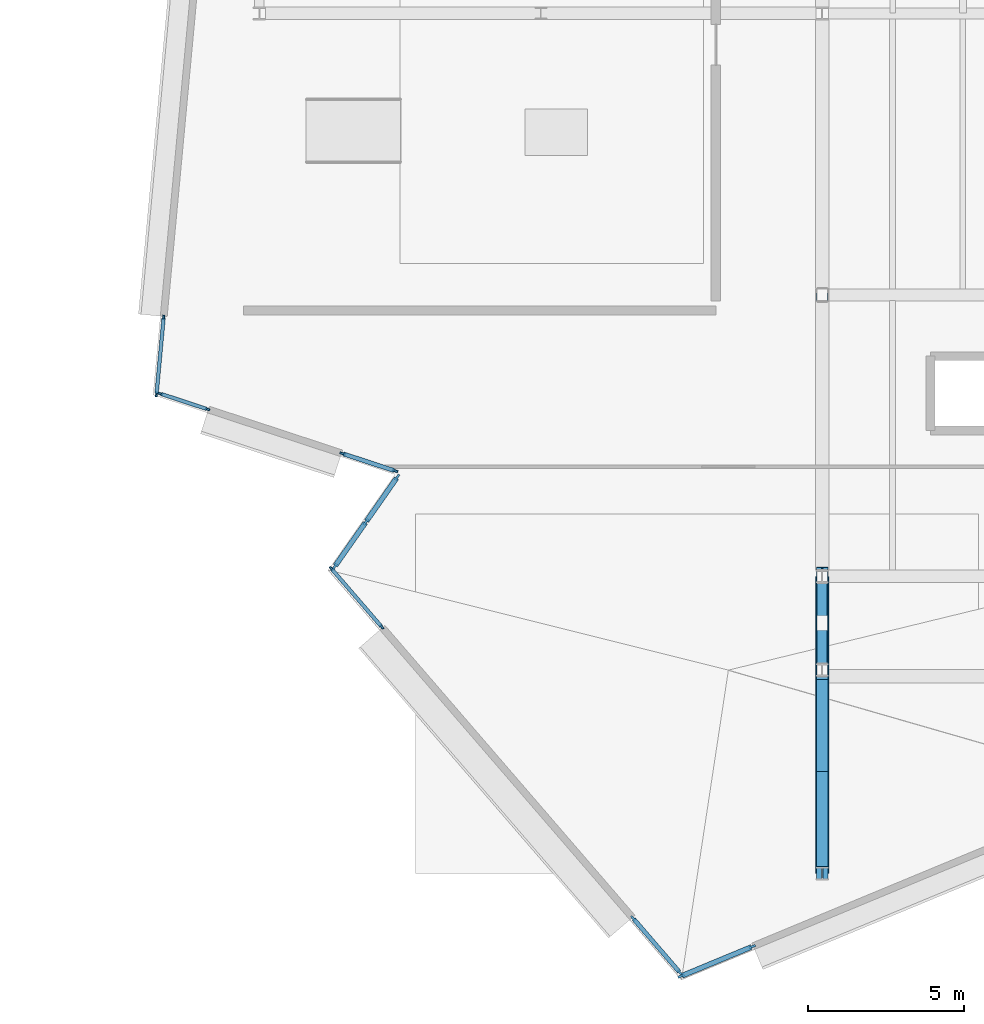
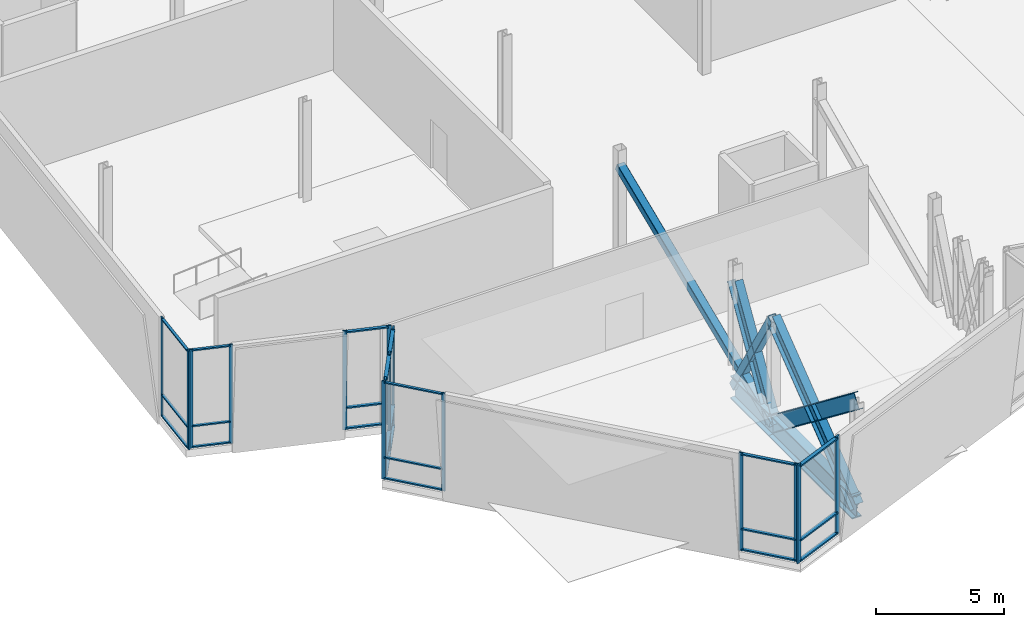
# One storey, part 15 of 73: 41 members, 5 beams, 7 elements without a shape of their own.
"""IFC4 building model written with IfcOpenShell, lengths in metres."""

import ifcopenshell
import ifcopenshell.guid

model = None  # the IFC model being written
_history = None  # IfcOwnerHistory: only IFC2X3 demands one
_inside = {}  # id of a spatial element -> (the spatial element, [elements in it])
_under = {}  # id of a project, library or spatial element -> (it, [spatial elements below it])
_declared = {}  # id of a project -> (the project, [libraries it declares])
_typed = {}  # id of a type object -> (the type object, [elements of that type])
_made_of = {}  # id of a material, layer set ... -> (it, [elements and type objects made of it])


def new_model(schema):
    """Start an empty IFC model of exactly this schema.

    Asked for "IFC4X3", IfcOpenShell would pick the latest addendum, in which some entities
    have other attributes; the version numbers below select the first issue.
    IFC2X3 requires an IfcOwnerHistory on every rooted entity: one is made here for all.
    """
    global model, _history
    if schema == "IFC4X3":
        model = ifcopenshell.file(schema_version=(4, 3, 0, 0))
    else:
        model = ifcopenshell.file(schema=schema)
    _inside.clear()
    _under.clear()
    _declared.clear()
    _typed.clear()
    _made_of.clear()
    _history = None
    if model.schema == "IFC2X3":
        org = make("IfcOrganization", Name="unknown")
        user = make(
            "IfcPersonAndOrganization",
            ThePerson=make("IfcPerson", FamilyName="unknown"),
            TheOrganization=org,
        )
        app = make(
            "IfcApplication",
            ApplicationDeveloper=org,
            Version="unknown",
            ApplicationFullName="unknown",
            ApplicationIdentifier="unknown",
        )
        _history = make(
            "IfcOwnerHistory",
            OwningUser=user,
            OwningApplication=app,
            ChangeAction="ADDED",
            CreationDate=0,
        )
    return model


def make(cls, **values):
    """One entity of the class cls with the attributes given. An attribute that is None is left unset."""
    return model.create_entity(
        cls, **{name: value for name, value in values.items() if value is not None}
    )


def rooted(cls, **values):
    """An entity with a GlobalId (a new one), such as an element, a storey or a relation."""
    return make(cls, GlobalId=ifcopenshell.guid.new(), OwnerHistory=_history, **values)


def si_unit(unit_type, name, prefix=None):
    """IfcSIUnit, for example si_unit("LENGTHUNIT", "METRE", prefix="MILLI")."""
    return make("IfcSIUnit", UnitType=unit_type, Prefix=prefix, Name=name)


def assignment(units):
    """IfcUnitAssignment: the units of a project."""
    return None if units is None else make("IfcUnitAssignment", Units=units)


def point(xyz):
    """IfcCartesianPoint."""
    return None if xyz is None else make("IfcCartesianPoint", Coordinates=xyz)


def direction(xyz):
    """IfcDirection."""
    return None if xyz is None else make("IfcDirection", DirectionRatios=xyz)


def frame(location, z_axis=None, x_axis=None):
    """IfcAxis2Placement3D, a coordinate frame: its origin and axes. An axis left out is left unset."""
    return make(
        "IfcAxis2Placement3D",
        Location=point(location),
        Axis=direction(z_axis),
        RefDirection=direction(x_axis),
    )


def frame_2d(location, x_axis=None):
    """IfcAxis2Placement2D, a coordinate frame in the plane: its origin and x axis."""
    return make(
        "IfcAxis2Placement2D", Location=point(location), RefDirection=direction(x_axis)
    )


def origin():
    """The frame at (0, 0, 0) with its axes left unset."""
    return frame((0.0, 0.0, 0.0))


def origin_2d():
    """The frame at (0, 0) in the plane with its x axis left unset."""
    return frame_2d((0.0, 0.0))


def place(relative_to, where):
    """IfcLocalPlacement: puts the frame where relative to a parent placement (None: the world)."""
    return make(
        "IfcLocalPlacement", PlacementRelTo=relative_to, RelativePlacement=where
    )


def context(
    kind, dimensions, precision=None, world=None, true_north=None, identifier=None
):
    """IfcGeometricRepresentationContext, for example the 3D "Model" context."""
    return make(
        "IfcGeometricRepresentationContext",
        ContextIdentifier=identifier,
        ContextType=kind,
        CoordinateSpaceDimension=dimensions,
        Precision=precision,
        WorldCoordinateSystem=world,
        TrueNorth=true_north,
    )


def subcontext(parent, identifier, kind, view, scale=None):
    """IfcGeometricRepresentationSubContext, for example "Body" below "Model"."""
    return make(
        "IfcGeometricRepresentationSubContext",
        ContextIdentifier=identifier,
        ContextType=kind,
        ParentContext=parent,
        TargetScale=scale,
        TargetView=view,
    )


def project(units=None, contexts=None):
    """IfcProject with its units and contexts."""
    return rooted(
        "IfcProject",
        Name="project",
        RepresentationContexts=contexts,
        UnitsInContext=assignment(units),
    )


def spatial(cls, under=None, at=None, **own):
    """A site, building, storey or space (cls), placed at a placement, below another one or the project."""
    s = rooted(cls, ObjectPlacement=at, **own)
    if under is not None:
        _under.setdefault(under.id(), (under, []))[1].append(s)
    return s


def profile(cls, at=None, kind="AREA", **sizes):
    """A parametric profile (cls). Its sizes go by their IFC names, for example OverallWidth=200.0."""
    return make(cls, ProfileType=kind, Position=at, **sizes)


def rectangle(**sizes):
    """IfcRectangleProfileDef."""
    return profile("IfcRectangleProfileDef", **sizes)


def hollow_rectangle(**sizes):
    """IfcRectangleHollowProfileDef."""
    return profile("IfcRectangleHollowProfileDef", **sizes)


def i_section(**sizes):
    """IfcIShapeProfileDef."""
    return profile("IfcIShapeProfileDef", **sizes)


def extrude(swept, where, along, depth):
    """IfcExtrudedAreaSolid: the profile swept, set in the frame where, extruded along a direction by depth."""
    return make(
        "IfcExtrudedAreaSolid",
        SweptArea=swept,
        Position=where,
        ExtrudedDirection=direction(along),
        Depth=depth,
    )


def shape(context_of_items, identifier, shape_type, items):
    """IfcShapeRepresentation: the items that make up one representation, for example the "Body"."""
    return make(
        "IfcShapeRepresentation",
        ContextOfItems=context_of_items,
        RepresentationIdentifier=identifier,
        RepresentationType=shape_type,
        Items=items,
    )


def material(Name=None, Category=None):
    """IfcMaterial."""
    return make("IfcMaterial", Name=Name, Category=Category)


def material_profile(
    of_material, cross_section, Name=None, Category=None, Priority=None
):
    """IfcMaterialProfile: a cross section and its material."""
    return make(
        "IfcMaterialProfile",
        Name=Name,
        Material=of_material,
        Profile=cross_section,
        Priority=Priority,
        Category=Category,
    )


def profile_set(profiles, Name=None, composite=None):
    """IfcMaterialProfileSet."""
    return make(
        "IfcMaterialProfileSet",
        Name=Name,
        MaterialProfiles=profiles,
        CompositeProfile=composite,
    )


def made_of(thing, what):
    """Note that an element or type object is made of a material, layer set ...; save() writes the relation."""
    if what is not None:
        _made_of.setdefault(what.id(), (what, []))[1].append(thing)
    return thing


def type_object(cls, material=None, **own):
    """A type object (cls), such as IfcWallType, which elements share."""
    return made_of(rooted(cls, **own), material)


def element(
    cls,
    number,
    at=None,
    inside=None,
    cuts=None,
    type_object=None,
    material=None,
    context=None,
    identifier="Body",
    shape_type=None,
    held_by="IfcProductDefinitionShape",
    body=None,
    shapes=None,
    **own,
):
    """One element of the class cls, such as IfcWall. Its Tag is "e" and its number.

    at: its placement. inside: the storey or other place that contains it. cuts: it is an
    opening in that element (IfcRelVoidsElement). A single representation is given by context,
    identifier, shape_type and body (its items); several are given by shapes. held_by: the class
    of the entity that holds the representations. save() writes the other relations.
    """
    e = rooted(cls, Tag="e%d" % number, ObjectPlacement=at, **own)
    if body is not None:
        shapes = [shape(context, identifier, shape_type, body)]
    if shapes is not None:
        e.Representation = make(held_by, Representations=shapes)
    if inside is not None:
        _inside.setdefault(inside.id(), (inside, []))[1].append(e)
    if cuts is not None:
        rooted(
            "IfcRelVoidsElement", RelatingBuildingElement=cuts, RelatedOpeningElement=e
        )
    if type_object is not None:
        _typed.setdefault(type_object.id(), (type_object, []))[1].append(e)
    return made_of(e, material)


def aggregate(whole, parts):
    """IfcRelAggregates: a whole, such as a stair, and the parts it consists of."""
    return rooted("IfcRelAggregates", RelatingObject=whole, RelatedObjects=parts)


def save(model, path):
    """Write the relations noted so far, then the file.

    IfcRelAggregates (storeys below a building ...), IfcRelContainedInSpatialStructure (elements
    in a storey), IfcRelDefinesByType, IfcRelAssociatesMaterial and IfcRelDeclares: one each for
    every whole, place, type object, material and project.
    """
    for whole, parts in _under.values():
        aggregate(whole, parts)
    for where, things in _inside.values():
        rooted(
            "IfcRelContainedInSpatialStructure",
            RelatedElements=things,
            RelatingStructure=where,
        )
    for kind, things in _typed.values():
        rooted("IfcRelDefinesByType", RelatedObjects=things, RelatingType=kind)
    for what, things in _made_of.values():
        rooted("IfcRelAssociatesMaterial", RelatedObjects=things, RelatingMaterial=what)
    for by, libraries in _declared.values():
        rooted("IfcRelDeclares", RelatingContext=by, RelatedDefinitions=libraries)
    model.write(path)


model = new_model("IFC4")

# Units and contexts
model_context = context("Model", 3, precision=1e-05, world=origin(), true_north=direction((0.0, 1.0)))
body_context = subcontext(model_context, "Body", "Model", "MODEL_VIEW")
ifc_project = project(units=[si_unit("LENGTHUNIT", "METRE"), si_unit("AREAUNIT", "SQUARE_METRE"), si_unit("VOLUMEUNIT", "CUBIC_METRE"), si_unit("PLANEANGLEUNIT", "RADIAN"), si_unit("MASSUNIT", "GRAM", prefix="KILO")], contexts=[model_context])

# Site, building, storey
site_placement = place(None, origin())
site = spatial("IfcSite", under=ifc_project, at=site_placement, CompositionType="ELEMENT")
building_placement = place(site_placement, origin())
building = spatial("IfcBuilding", under=site, at=building_placement, Name="Trimount Lyric Opera House", CompositionType="ELEMENT")
storey_placement = place(building_placement, frame((0.0, 0.0, 10.0)))
storey = spatial("IfcBuildingStorey", under=building, at=storey_placement, Name="L02", CompositionType="ELEMENT", Elevation=10.0)

# Members
ifc_material_1 = material(Name="Steel ASTM A500 Grade C", Category="steel")
ifc_material_profile_1 = material_profile(ifc_material_1, hollow_rectangle(XDim=0.355712890625, YDim=0.355712890625, WallThickness=0.014892578125, InnerFilletRadius=0.01513671875, OuterFilletRadius=0.030029296875, at=origin_2d()), Name="HSS355.6X355.6X15.9")
ifc_profile_set_1 = profile_set([ifc_material_profile_1], Name="Steel ASTM A500 Grade C")
member_type_1 = type_object("IfcMemberType", Name="BR-01", PredefinedType="BRACE", material=ifc_profile_set_1)
member_1_placement = place(storey_placement, frame((45.0, 35.0, 4.12890625), z_axis=(0.0, -0.922395901699, -0.38624577736), x_axis=(1.0, 0.0, 0.0)))
element("IfcMember", 1, at=member_1_placement, inside=storey, type_object=member_type_1, Name="L02 crystal truss 2 back-span tie-back brace", PredefinedType="BRACE", context=body_context, shape_type="SweptSolid", body=[
    extrude(hollow_rectangle(XDim=0.355712890625, YDim=0.355712890625, WallThickness=0.014892578125, InnerFilletRadius=0.01513671875, OuterFilletRadius=0.030029296875, at=origin_2d()), origin(), (0.0, 0.0, 1.0), 13.009521484375),
])
member_2_placement = place(storey_placement, frame((45.0, 26.0, -0.89599609375), z_axis=(0.0, -0.512617262011, 0.858617227109), x_axis=(1.0, 0.0, 0.0)))
element("IfcMember", 2, at=member_2_placement, inside=storey, type_object=member_type_1, Name="L02 crystal truss 2 counter brace", PredefinedType="BRACE", context=body_context, shape_type="SweptSolid", body=[
    extrude(hollow_rectangle(XDim=0.355712890625, YDim=0.355712890625, WallThickness=0.014892578125, InnerFilletRadius=0.01513671875, OuterFilletRadius=0.030029296875, at=origin_2d()), origin(), (0.0, 0.0, 1.0), 5.852294921875),
])

# Beams
ifc_material_2 = material(Name="Steel ASTM A992 Grade 50", Category="steel")
ifc_material_profile_2 = material_profile(ifc_material_2, i_section(OverallWidth=0.35595703125, OverallDepth=0.700927734375, WebThickness=0.016845703125, FlangeThickness=0.02734375, FilletRadius=0.01806640625, at=origin_2d()), Name="W27X161")
ifc_profile_set_2 = profile_set([ifc_material_profile_2], Name="Steel ASTM A992 Grade 50")
beam_type_1 = type_object("IfcBeamType", Name="CTW-01", PredefinedType="USERDEFINED", material=ifc_profile_set_2)
beam_1_placement = place(storey_placement, frame((45.0, 26.0, 4.12890625), z_axis=(0.0, -0.512617262011, -0.858617227109), x_axis=(1.0, 0.0, 0.0)))
element("IfcBeam", 3, at=beam_1_placement, inside=storey, type_object=beam_type_1, Name="L02 crystal truss 2 web raker 1", ObjectType="RAKER", PredefinedType="USERDEFINED", context=body_context, shape_type="SweptSolid", body=[
    extrude(i_section(OverallWidth=0.35595703125, OverallDepth=0.700927734375, WebThickness=0.016845703125, FlangeThickness=0.02734375, FilletRadius=0.01806640625, at=origin_2d()), origin(), (0.0, 0.0, 1.0), 5.852294921875),
])
for number, where, z_axis, x_axis, name in (
    (4, (45.0, 23.0, 4.12890625), (0.0, -0.791156894152, -0.61161325103), (1.0, 0.0, 0.0), "L02 crystal truss 2 web raker 2"),
    (5, (45.0, 16.5, 4.12890625), (0.0, 0.791156894152, -0.61161325103), (-1.0, 0.0, 0.0), "L02 crystal truss 2 prow counter raker"),
):
    element("IfcBeam", number, at=place(storey_placement, frame(where, z_axis=z_axis, x_axis=x_axis)), inside=storey, type_object=beam_type_1, Name=name, ObjectType="RAKER", PredefinedType="USERDEFINED", context=body_context, shape_type="SweptSolid", body=[
        extrude(i_section(OverallWidth=0.35595703125, OverallDepth=0.700927734375, WebThickness=0.016845703125, FlangeThickness=0.02734375, FilletRadius=0.01806640625, at=origin_2d()), origin(), (0.0, 0.0, 1.0), 8.2158203125),
    ])

# Curtain wall, members
ifc_material_3 = material(Name="Thermally Broken Aluminium and Low-E Glass", Category="aluminium")
curtain_wall_type = type_object("IfcCurtainWallType", Name="CW-02", PredefinedType="NOTDEFINED", material=ifc_material_3)
curtain_wall_1_placement = place(storey_placement, origin())
curtain_wall_1 = element("IfcCurtainWall", 6, at=curtain_wall_1_placement, inside=storey, type_object=curtain_wall_type, Name="L02 crystal fold glazed slit 192", PredefinedType="NOTDEFINED")
ifc_material_4 = material(Name="Anodised Aluminium 6063-T6", Category="aluminium")
ifc_material_profile_3 = material_profile(ifc_material_4, rectangle(XDim=0.070068359375, YDim=0.219970703125, at=origin_2d()), Name="ALU-MULL-70X220")
ifc_profile_set_3 = profile_set([ifc_material_profile_3], Name="Anodised Aluminium 6063-T6")
member_type_2 = type_object("IfcMemberType", Name="ML-01", PredefinedType="MULLION", material=ifc_profile_set_3)
member_3_placement = place(storey_placement, frame((42.7626953125, 14.15771484375, 0.0), z_axis=(0.0, 0.0, 1.0), x_axis=(0.383015022702, -0.923742113571, 0.0)))
member_3 = element("IfcMember", 7, at=member_3_placement, type_object=member_type_2, Name="CW-02 mullion 1", PredefinedType="MULLION", context=body_context, shape_type="SweptSolid", body=[
    extrude(rectangle(XDim=0.070068359375, YDim=0.219970703125, at=origin_2d()), origin(), (0.0, 0.0, 1.0), 4.675048828125),
])
member_4_placement = place(storey_placement, frame((40.490234375, 13.21533203125, 0.0), z_axis=(0.0, 0.0, 1.0), x_axis=(0.383015022702, -0.923742113571, 0.0)))
member_4 = element("IfcMember", 8, at=member_4_placement, type_object=member_type_2, Name="CW-02 mullion 2", PredefinedType="MULLION", context=body_context, shape_type="SweptSolid", body=[
    extrude(rectangle(XDim=0.070068359375, YDim=0.219970703125, at=origin_2d()), origin(), (0.0, 0.0, 1.0), 4.675048828125),
])

curtain_wall_2_placement = place(storey_placement, origin())
curtain_wall_2 = element("IfcCurtainWall", 9, at=curtain_wall_2_placement, inside=storey, type_object=curtain_wall_type, Name="L02 crystal fold glazed slit 195", PredefinedType="NOTDEFINED")
member_5_placement = place(storey_placement, frame((29.412109375, 26.311767578125, 0.0), z_axis=(0.0, 0.0, 1.0), x_axis=(-0.819496436973, 0.573084278085, 0.0)))
member_5 = element("IfcMember", 10, at=member_5_placement, type_object=member_type_2, Name="CW-02 mullion 1", PredefinedType="MULLION", context=body_context, shape_type="SweptSolid", body=[
    extrude(rectangle(XDim=0.070068359375, YDim=0.219970703125, at=origin_2d()), origin(), (0.0, 0.0, 1.0), 4.719970703125),
])
member_6_placement = place(storey_placement, frame((30.409423828125, 27.738037109375, 0.0), z_axis=(0.0, 0.0, 1.0), x_axis=(-0.819496436973, 0.573084278085, 0.0)))
member_6 = element("IfcMember", 11, at=member_6_placement, type_object=member_type_2, Name="CW-02 mullion 2", PredefinedType="MULLION", context=body_context, shape_type="SweptSolid", body=[
    extrude(rectangle(XDim=0.070068359375, YDim=0.219970703125, at=origin_2d()), origin(), (0.0, 0.0, 1.0), 4.719970703125),
])
member_7_placement = place(storey_placement, frame((31.406982421875, 29.164306640625, 0.0), z_axis=(0.0, 0.0, 1.0), x_axis=(-0.819496436973, 0.573084278085, 0.0)))
member_7 = element("IfcMember", 12, at=member_7_placement, type_object=member_type_2, Name="CW-02 mullion 3", PredefinedType="MULLION", context=body_context, shape_type="SweptSolid", body=[
    extrude(rectangle(XDim=0.070068359375, YDim=0.219970703125, at=origin_2d()), origin(), (0.0, 0.0, 1.0), 4.719970703125),
])

curtain_wall_3_placement = place(storey_placement, origin())
curtain_wall_3 = element("IfcCurtainWall", 13, at=curtain_wall_3_placement, inside=storey, type_object=curtain_wall_type, Name="L02 crystal fold glazed slit 193", PredefinedType="NOTDEFINED")
ifc_material_5 = material(Name="Anodised Aluminium 6063-T6", Category="aluminium")
ifc_material_profile_4 = material_profile(ifc_material_5, rectangle(XDim=0.06494140625, YDim=0.179931640625, at=origin_2d()), Name="ALU-MULL-65X180")
ifc_profile_set_4 = profile_set([ifc_material_profile_4], Name="Anodised Aluminium 6063-T6")
member_type_3 = type_object("IfcMemberType", Name="ML-02", PredefinedType="MULLION", material=ifc_profile_set_4)
member_8_placement = place(storey_placement, frame((40.44775390625, 13.32861328125, 0.0), z_axis=(0.0, 0.0, 1.0), x_axis=(-0.757395481565, -0.652956418534, 0.0)))
member_8 = element("IfcMember", 14, at=member_8_placement, type_object=member_type_3, Name="CW-02 mullion 1", PredefinedType="MULLION", context=body_context, shape_type="SweptSolid", body=[
    extrude(rectangle(XDim=0.06494140625, YDim=0.179931640625, at=origin_2d()), origin(), (0.0, 0.0, 1.0), 4.675048828125),
])
member_9_placement = place(storey_placement, frame((38.9521484375, 15.0634765625, 0.0), z_axis=(0.0, 0.0, 1.0), x_axis=(-0.757395481565, -0.652956418534, 0.0)))
member_9 = element("IfcMember", 15, at=member_9_placement, type_object=member_type_3, Name="CW-02 mullion 2", PredefinedType="MULLION", context=body_context, shape_type="SweptSolid", body=[
    extrude(rectangle(XDim=0.06494140625, YDim=0.179931640625, at=origin_2d()), origin(), (0.0, 0.0, 1.0), 4.675048828125),
])

curtain_wall_4_placement = place(storey_placement, origin())
curtain_wall_4 = element("IfcCurtainWall", 16, at=curtain_wall_4_placement, inside=storey, type_object=curtain_wall_type, Name="L02 crystal fold glazed slit 196", PredefinedType="NOTDEFINED")
member_10_placement = place(storey_placement, frame((31.340087890625, 29.37109375, 0.0), z_axis=(0.0, 0.0, 1.0), x_axis=(-0.312125096518, -0.950041011811, 0.0)))
member_10 = element("IfcMember", 17, at=member_10_placement, type_object=member_type_3, Name="CW-02 mullion 1", PredefinedType="MULLION", context=body_context, shape_type="SweptSolid", body=[
    extrude(rectangle(XDim=0.06494140625, YDim=0.179931640625, at=origin_2d()), origin(), (0.0, 0.0, 1.0), 4.719970703125),
])
member_11_placement = place(storey_placement, frame((29.663818359375, 29.921875, 0.0), z_axis=(0.0, 0.0, 1.0), x_axis=(-0.312125096518, -0.950041011811, 0.0)))
member_11 = element("IfcMember", 18, at=member_11_placement, type_object=member_type_3, Name="CW-02 mullion 2", PredefinedType="MULLION", context=body_context, shape_type="SweptSolid", body=[
    extrude(rectangle(XDim=0.06494140625, YDim=0.179931640625, at=origin_2d()), origin(), (0.0, 0.0, 1.0), 4.719970703125),
])

curtain_wall_5_placement = place(storey_placement, origin())
curtain_wall_5 = element("IfcCurtainWall", 19, at=curtain_wall_5_placement, inside=storey, type_object=curtain_wall_type, Name="L02 crystal fold glazed slit 167", PredefinedType="NOTDEFINED")
ifc_material_6 = material(Name="Anodised Aluminium 6063-T6", Category="aluminium")
ifc_material_profile_5 = material_profile(ifc_material_6, rectangle(XDim=0.06005859375, YDim=0.14990234375, at=origin_2d()), Name="ALU-MULL-60X150")
ifc_profile_set_5 = profile_set([ifc_material_profile_5], Name="Anodised Aluminium 6063-T6")
member_type_4 = type_object("IfcMemberType", Name="ML-03", PredefinedType="MULLION", material=ifc_profile_set_5)
member_12_placement = place(storey_placement, frame((23.712890625, 31.81982421875, 0.0), z_axis=(0.0, 0.0, 1.0), x_axis=(-0.995713076847, 0.0924957761, 0.0)))
member_12 = element("IfcMember", 20, at=member_12_placement, type_object=member_type_4, Name="CW-02 mullion 1", PredefinedType="MULLION", context=body_context, shape_type="SweptSolid", body=[
    extrude(rectangle(XDim=0.06005859375, YDim=0.14990234375, at=origin_2d()), origin(), (0.0, 0.0, 1.0), 4.719970703125),
])
member_13_placement = place(storey_placement, frame((23.941162109375, 34.279052734375, 0.0), z_axis=(0.0, 0.0, 1.0), x_axis=(-0.995713076847, 0.0924957761, 0.0)))
member_13 = element("IfcMember", 21, at=member_13_placement, type_object=member_type_4, Name="CW-02 mullion 2", PredefinedType="MULLION", context=body_context, shape_type="SweptSolid", body=[
    extrude(rectangle(XDim=0.06005859375, YDim=0.14990234375, at=origin_2d()), origin(), (0.0, 0.0, 1.0), 4.719970703125),
])

curtain_wall_6_placement = place(storey_placement, origin())
curtain_wall_6 = element("IfcCurtainWall", 22, at=curtain_wall_6_placement, inside=storey, type_object=curtain_wall_type, Name="L02 crystal fold glazed slit 194", PredefinedType="NOTDEFINED")
member_14_placement = place(storey_placement, frame((30.91650390625, 24.378662109375, 0.0), z_axis=(0.0, 0.0, 1.0), x_axis=(-0.757160561616, -0.653228814377, 0.0)))
member_14 = element("IfcMember", 23, at=member_14_placement, type_object=member_type_4, Name="CW-02 mullion 1", PredefinedType="MULLION", context=body_context, shape_type="SweptSolid", body=[
    extrude(rectangle(XDim=0.06005859375, YDim=0.14990234375, at=origin_2d()), origin(), (0.0, 0.0, 1.0), 4.675048828125),
])
member_15_placement = place(storey_placement, frame((29.302490234375, 26.249267578125, 0.0), z_axis=(0.0, 0.0, 1.0), x_axis=(-0.757160561616, -0.653228814377, 0.0)))
member_15 = element("IfcMember", 24, at=member_15_placement, type_object=member_type_4, Name="CW-02 mullion 2", PredefinedType="MULLION", context=body_context, shape_type="SweptSolid", body=[
    extrude(rectangle(XDim=0.06005859375, YDim=0.14990234375, at=origin_2d()), origin(), (0.0, 0.0, 1.0), 4.675048828125),
])

curtain_wall_7_placement = place(storey_placement, origin())
curtain_wall_7 = element("IfcCurtainWall", 25, at=curtain_wall_7_placement, inside=storey, type_object=curtain_wall_type, Name="L02 crystal fold glazed slit 197", PredefinedType="NOTDEFINED")
member_16_placement = place(storey_placement, frame((25.344482421875, 31.34228515625, 0.0), z_axis=(0.0, 0.0, 1.0), x_axis=(-0.312223640567, -0.95000863063, 0.0)))
member_16 = element("IfcMember", 26, at=member_16_placement, type_object=member_type_4, Name="CW-02 mullion 1", PredefinedType="MULLION", context=body_context, shape_type="SweptSolid", body=[
    extrude(rectangle(XDim=0.06005859375, YDim=0.14990234375, at=origin_2d()), origin(), (0.0, 0.0, 1.0), 4.719970703125),
])
member_17_placement = place(storey_placement, frame((23.83447265625, 31.838623046875, 0.0), z_axis=(0.0, 0.0, 1.0), x_axis=(-0.312223640567, -0.95000863063, 0.0)))
member_17 = element("IfcMember", 27, at=member_17_placement, type_object=member_type_4, Name="CW-02 mullion 2", PredefinedType="MULLION", context=body_context, shape_type="SweptSolid", body=[
    extrude(rectangle(XDim=0.06005859375, YDim=0.14990234375, at=origin_2d()), origin(), (0.0, 0.0, 1.0), 4.719970703125),
])

# Beams
ifc_material_7 = material(Name="Steel ASTM A992 Grade 50", Category="steel")
ifc_material_profile_6 = material_profile(ifc_material_7, i_section(OverallWidth=0.427001953125, OverallDepth=1.092041015625, WebThickness=0.031005859375, FlangeThickness=0.055908203125, FilletRadius=0.02490234375, at=origin_2d()), Name="W40X397")
ifc_profile_set_6 = profile_set([ifc_material_profile_6], Name="Steel ASTM A992 Grade 50")
beam_type_2 = type_object("IfcBeamType", Name="TG-02", PredefinedType="USERDEFINED", material=ifc_profile_set_6)
beam_2_placement = place(storey_placement, frame((45.0, 23.0, -0.89599609375), z_axis=(0.0, 1.0, 0.0), x_axis=(-1.0, 0.0, 0.0)))
element("IfcBeam", 28, at=beam_2_placement, inside=storey, type_object=beam_type_2, Name="L02 crystal truss 2 inner chord", ObjectType="TRANSFER_GIRDER", PredefinedType="USERDEFINED", context=body_context, shape_type="SweptSolid", body=[
    extrude(i_section(OverallWidth=0.427001953125, OverallDepth=1.092041015625, WebThickness=0.031005859375, FlangeThickness=0.055908203125, FilletRadius=0.02490234375, at=origin_2d()), origin(), (0.0, 0.0, 1.0), 3.0),
])
beam_3_placement = place(storey_placement, frame((45.0, 16.5, -0.89599609375), z_axis=(0.0, 1.0, 0.0), x_axis=(-1.0, 0.0, 0.0)))
element("IfcBeam", 29, at=beam_3_placement, inside=storey, type_object=beam_type_2, Name="L02 crystal truss 2 prow chord", ObjectType="TRANSFER_GIRDER", PredefinedType="USERDEFINED", context=body_context, shape_type="SweptSolid", body=[
    extrude(i_section(OverallWidth=0.427001953125, OverallDepth=1.092041015625, WebThickness=0.031005859375, FlangeThickness=0.055908203125, FilletRadius=0.02490234375, at=origin_2d()), origin(), (0.0, 0.0, 1.0), 6.5),
])

# Member
ifc_material_8 = material(Name="Anodised Aluminium 6063-T6", Category="aluminium")
ifc_material_profile_7 = material_profile(ifc_material_8, rectangle(XDim=0.159912109375, YDim=0.070068359375, at=origin_2d()), Name="ALU-TRAN-70X160")
ifc_profile_set_7 = profile_set([ifc_material_profile_7], Name="Anodised Aluminium 6063-T6")
member_type_5 = type_object("IfcMemberType", Name="TR-01", PredefinedType="USERDEFINED", material=ifc_profile_set_7)
member_18_placement = place(storey_placement, frame((42.730224609375, 14.144287109375, 0.080078125), z_axis=(-0.923710374084, -0.383091561913, 0.0), x_axis=(0.383091561913, -0.923710374084, 0.0)))
member_18 = element("IfcMember", 30, at=member_18_placement, type_object=member_type_5, Name="CW-02 transom 1.1", ObjectType="TRANSOM", PredefinedType="USERDEFINED", context=body_context, shape_type="SweptSolid", body=[
    extrude(rectangle(XDim=0.159912109375, YDim=0.070068359375, at=origin_2d()), origin(), (0.0, 0.0, 1.0), 2.389892578125),
])

member_19_placement = place(storey_placement, frame((42.730224609375, 14.144287109375, 1.050048828125), z_axis=(-0.923710374084, -0.383091561913, 0.0), x_axis=(0.383091561913, -0.923710374084, 0.0)))
member_19 = element("IfcMember", 31, at=member_19_placement, type_object=member_type_5, Name="CW-02 transom 1.2", ObjectType="TRANSOM", PredefinedType="USERDEFINED", context=body_context, shape_type="SweptSolid", body=[
    extrude(rectangle(XDim=0.159912109375, YDim=0.070068359375, at=origin_2d()), origin(), (0.0, 0.0, 1.0), 2.389892578125),
])

member_20_placement = place(storey_placement, frame((42.730224609375, 14.144287109375, 4.594970703125), z_axis=(-0.923710374084, -0.383091561913, 0.0), x_axis=(0.383091561913, -0.923710374084, 0.0)))
member_20 = element("IfcMember", 32, at=member_20_placement, type_object=member_type_5, Name="CW-02 transom 1.3", ObjectType="TRANSOM", PredefinedType="USERDEFINED", context=body_context, shape_type="SweptSolid", body=[
    extrude(rectangle(XDim=0.159912109375, YDim=0.070068359375, at=origin_2d()), origin(), (0.0, 0.0, 1.0), 2.389892578125),
])

aggregate(curtain_wall_1, [member_3, member_4, member_18, member_19, member_20])

member_21_placement = place(storey_placement, frame((29.43212890625, 26.34033203125, 0.080078125), z_axis=(0.573079724498, 0.819499621336, 0.0), x_axis=(-0.819499621336, 0.573079724498, 0.0)))
member_21 = element("IfcMember", 33, at=member_21_placement, type_object=member_type_5, Name="CW-02 transom 1.1", ObjectType="TRANSOM", PredefinedType="USERDEFINED", context=body_context, shape_type="SweptSolid", body=[
    extrude(rectangle(XDim=0.159912109375, YDim=0.070068359375, at=origin_2d()), origin(), (0.0, 0.0, 1.0), 1.67041015625),
])

member_22_placement = place(storey_placement, frame((29.43212890625, 26.34033203125, 1.050048828125), z_axis=(0.573079724498, 0.819499621336, 0.0), x_axis=(-0.819499621336, 0.573079724498, 0.0)))
member_22 = element("IfcMember", 34, at=member_22_placement, type_object=member_type_5, Name="CW-02 transom 1.2", ObjectType="TRANSOM", PredefinedType="USERDEFINED", context=body_context, shape_type="SweptSolid", body=[
    extrude(rectangle(XDim=0.159912109375, YDim=0.070068359375, at=origin_2d()), origin(), (0.0, 0.0, 1.0), 1.67041015625),
])

member_23_placement = place(storey_placement, frame((29.43212890625, 26.34033203125, 4.639892578125), z_axis=(0.573079724498, 0.819499621336, 0.0), x_axis=(-0.819499621336, 0.573079724498, 0.0)))
member_23 = element("IfcMember", 35, at=member_23_placement, type_object=member_type_5, Name="CW-02 transom 1.3", ObjectType="TRANSOM", PredefinedType="USERDEFINED", context=body_context, shape_type="SweptSolid", body=[
    extrude(rectangle(XDim=0.159912109375, YDim=0.070068359375, at=origin_2d()), origin(), (0.0, 0.0, 1.0), 1.67041015625),
])

member_24_placement = place(storey_placement, frame((30.429443359375, 27.7666015625, 0.080078125), z_axis=(0.573109233116, 0.819478985037, 0.0), x_axis=(-0.819478985037, 0.573109233116, 0.0)))
member_24 = element("IfcMember", 36, at=member_24_placement, type_object=member_type_5, Name="CW-02 transom 2.1", ObjectType="TRANSOM", PredefinedType="USERDEFINED", context=body_context, shape_type="SweptSolid", body=[
    extrude(rectangle(XDim=0.159912109375, YDim=0.070068359375, at=origin_2d()), origin(), (0.0, 0.0, 1.0), 1.670654296875),
])

member_25_placement = place(storey_placement, frame((30.429443359375, 27.7666015625, 1.050048828125), z_axis=(0.573109233116, 0.819478985037, 0.0), x_axis=(-0.819478985037, 0.573109233116, 0.0)))
member_25 = element("IfcMember", 37, at=member_25_placement, type_object=member_type_5, Name="CW-02 transom 2.2", ObjectType="TRANSOM", PredefinedType="USERDEFINED", context=body_context, shape_type="SweptSolid", body=[
    extrude(rectangle(XDim=0.159912109375, YDim=0.070068359375, at=origin_2d()), origin(), (0.0, 0.0, 1.0), 1.670654296875),
])

member_26_placement = place(storey_placement, frame((30.429443359375, 27.7666015625, 4.639892578125), z_axis=(0.573109233116, 0.819478985037, 0.0), x_axis=(-0.819478985037, 0.573109233116, 0.0)))
member_26 = element("IfcMember", 38, at=member_26_placement, type_object=member_type_5, Name="CW-02 transom 2.3", ObjectType="TRANSOM", PredefinedType="USERDEFINED", context=body_context, shape_type="SweptSolid", body=[
    extrude(rectangle(XDim=0.159912109375, YDim=0.070068359375, at=origin_2d()), origin(), (0.0, 0.0, 1.0), 1.670654296875),
])

aggregate(curtain_wall_2, [member_5, member_6, member_7, member_21, member_22, member_23, member_24, member_25, member_26])

ifc_material_9 = material(Name="Anodised Aluminium 6063-T6", Category="aluminium")
ifc_material_profile_8 = material_profile(ifc_material_9, rectangle(XDim=0.135009765625, YDim=0.06494140625, at=origin_2d()), Name="ALU-TRAN-65X135")
ifc_profile_set_8 = profile_set([ifc_material_profile_8], Name="Anodised Aluminium 6063-T6")
member_type_6 = type_object("IfcMemberType", Name="TR-02", PredefinedType="USERDEFINED", material=ifc_profile_set_8)
member_27_placement = place(storey_placement, frame((40.426513671875, 13.353271484375, 0.0673828125), z_axis=(-0.652956982935, 0.75739499499, 0.0), x_axis=(-0.75739499499, -0.652956982935, 0.0)))
member_27 = element("IfcMember", 39, at=member_27_placement, type_object=member_type_6, Name="CW-02 transom 1.1", ObjectType="TRANSOM", PredefinedType="USERDEFINED", context=body_context, shape_type="SweptSolid", body=[
    extrude(rectangle(XDim=0.135009765625, YDim=0.06494140625, at=origin_2d()), origin(), (0.0, 0.0, 1.0), 2.225341796875),
])

member_28_placement = place(storey_placement, frame((40.426513671875, 13.353271484375, 1.050048828125), z_axis=(-0.652956982935, 0.75739499499, 0.0), x_axis=(-0.75739499499, -0.652956982935, 0.0)))
member_28 = element("IfcMember", 40, at=member_28_placement, type_object=member_type_6, Name="CW-02 transom 1.2", ObjectType="TRANSOM", PredefinedType="USERDEFINED", context=body_context, shape_type="SweptSolid", body=[
    extrude(rectangle(XDim=0.135009765625, YDim=0.06494140625, at=origin_2d()), origin(), (0.0, 0.0, 1.0), 2.225341796875),
])

member_29_placement = place(storey_placement, frame((40.426513671875, 13.353271484375, 4.607421875), z_axis=(-0.652956982935, 0.75739499499, 0.0), x_axis=(-0.75739499499, -0.652956982935, 0.0)))
member_29 = element("IfcMember", 41, at=member_29_placement, type_object=member_type_6, Name="CW-02 transom 1.3", ObjectType="TRANSOM", PredefinedType="USERDEFINED", context=body_context, shape_type="SweptSolid", body=[
    extrude(rectangle(XDim=0.135009765625, YDim=0.06494140625, at=origin_2d()), origin(), (0.0, 0.0, 1.0), 2.225341796875),
])

aggregate(curtain_wall_3, [member_8, member_9, member_27, member_28, member_29])

member_30_placement = place(storey_placement, frame((31.309326171875, 29.38134765625, 0.0673828125), z_axis=(-0.950067652804, 0.312043995447, 0.0), x_axis=(-0.312043995447, -0.950067652804, 0.0)))
member_30 = element("IfcMember", 42, at=member_30_placement, type_object=member_type_6, Name="CW-02 transom 1.1", ObjectType="TRANSOM", PredefinedType="USERDEFINED", context=body_context, shape_type="SweptSolid", body=[
    extrude(rectangle(XDim=0.135009765625, YDim=0.06494140625, at=origin_2d()), origin(), (0.0, 0.0, 1.0), 1.699462890625),
])

member_31_placement = place(storey_placement, frame((31.309326171875, 29.38134765625, 1.050048828125), z_axis=(-0.950067652804, 0.312043995447, 0.0), x_axis=(-0.312043995447, -0.950067652804, 0.0)))
member_31 = element("IfcMember", 43, at=member_31_placement, type_object=member_type_6, Name="CW-02 transom 1.2", ObjectType="TRANSOM", PredefinedType="USERDEFINED", context=body_context, shape_type="SweptSolid", body=[
    extrude(rectangle(XDim=0.135009765625, YDim=0.06494140625, at=origin_2d()), origin(), (0.0, 0.0, 1.0), 1.699462890625),
])

member_32_placement = place(storey_placement, frame((31.309326171875, 29.38134765625, 4.652587890625), z_axis=(-0.950067652804, 0.312043995447, 0.0), x_axis=(-0.312043995447, -0.950067652804, 0.0)))
member_32 = element("IfcMember", 44, at=member_32_placement, type_object=member_type_6, Name="CW-02 transom 1.3", ObjectType="TRANSOM", PredefinedType="USERDEFINED", context=body_context, shape_type="SweptSolid", body=[
    extrude(rectangle(XDim=0.135009765625, YDim=0.06494140625, at=origin_2d()), origin(), (0.0, 0.0, 1.0), 1.699462890625),
])

aggregate(curtain_wall_4, [member_10, member_11, member_30, member_31, member_32])

ifc_material_10 = material(Name="Anodised Aluminium 6063-T6", Category="aluminium")
ifc_material_profile_9 = material_profile(ifc_material_10, rectangle(XDim=0.114990234375, YDim=0.06005859375, at=origin_2d()), Name="ALU-TRAN-60X115")
ifc_profile_set_9 = profile_set([ifc_material_profile_9], Name="Anodised Aluminium 6063-T6")
member_type_7 = type_object("IfcMemberType", Name="TR-03", PredefinedType="USERDEFINED", material=ifc_profile_set_9)
member_33_placement = place(storey_placement, frame((23.715576171875, 31.849853515625, 0.0576171875), z_axis=(0.092499564293, 0.995712724939, 0.0), x_axis=(-0.995712724939, 0.092499564293, 0.0)))
member_33 = element("IfcMember", 45, at=member_33_placement, type_object=member_type_7, Name="CW-02 transom 1.1", ObjectType="TRANSOM", PredefinedType="USERDEFINED", context=body_context, shape_type="SweptSolid", body=[
    extrude(rectangle(XDim=0.114990234375, YDim=0.06005859375, at=origin_2d()), origin(), (0.0, 0.0, 1.0), 2.40966796875),
])

member_34_placement = place(storey_placement, frame((23.715576171875, 31.849853515625, 1.050048828125), z_axis=(0.092499564293, 0.995712724939, 0.0), x_axis=(-0.995712724939, 0.092499564293, 0.0)))
member_34 = element("IfcMember", 46, at=member_34_placement, type_object=member_type_7, Name="CW-02 transom 1.2", ObjectType="TRANSOM", PredefinedType="USERDEFINED", context=body_context, shape_type="SweptSolid", body=[
    extrude(rectangle(XDim=0.114990234375, YDim=0.06005859375, at=origin_2d()), origin(), (0.0, 0.0, 1.0), 2.40966796875),
])

member_35_placement = place(storey_placement, frame((23.715576171875, 31.849853515625, 4.66259765625), z_axis=(0.092499564293, 0.995712724939, 0.0), x_axis=(-0.995712724939, 0.092499564293, 0.0)))
member_35 = element("IfcMember", 47, at=member_35_placement, type_object=member_type_7, Name="CW-02 transom 1.3", ObjectType="TRANSOM", PredefinedType="USERDEFINED", context=body_context, shape_type="SweptSolid", body=[
    extrude(rectangle(XDim=0.114990234375, YDim=0.06005859375, at=origin_2d()), origin(), (0.0, 0.0, 1.0), 2.40966796875),
])

aggregate(curtain_wall_5, [member_12, member_13, member_33, member_34, member_35])

member_36_placement = place(storey_placement, frame((30.896728515625, 24.4013671875, 0.0576171875), z_axis=(-0.653182021347, 0.757200929073, 0.0), x_axis=(-0.757200929073, -0.653182021347, 0.0)))
member_36 = element("IfcMember", 48, at=member_36_placement, type_object=member_type_7, Name="CW-02 transom 1.1", ObjectType="TRANSOM", PredefinedType="USERDEFINED", context=body_context, shape_type="SweptSolid", body=[
    extrude(rectangle(XDim=0.114990234375, YDim=0.06005859375, at=origin_2d()), origin(), (0.0, 0.0, 1.0), 2.410400390625),
])

member_37_placement = place(storey_placement, frame((30.896728515625, 24.4013671875, 1.050048828125), z_axis=(-0.653182021347, 0.757200929073, 0.0), x_axis=(-0.757200929073, -0.653182021347, 0.0)))
member_37 = element("IfcMember", 49, at=member_37_placement, type_object=member_type_7, Name="CW-02 transom 1.2", ObjectType="TRANSOM", PredefinedType="USERDEFINED", context=body_context, shape_type="SweptSolid", body=[
    extrude(rectangle(XDim=0.114990234375, YDim=0.06005859375, at=origin_2d()), origin(), (0.0, 0.0, 1.0), 2.410400390625),
])

member_38_placement = place(storey_placement, frame((30.896728515625, 24.4013671875, 4.617431640625), z_axis=(-0.653182021347, 0.757200929073, 0.0), x_axis=(-0.757200929073, -0.653182021347, 0.0)))
member_38 = element("IfcMember", 50, at=member_38_placement, type_object=member_type_7, Name="CW-02 transom 1.3", ObjectType="TRANSOM", PredefinedType="USERDEFINED", context=body_context, shape_type="SweptSolid", body=[
    extrude(rectangle(XDim=0.114990234375, YDim=0.06005859375, at=origin_2d()), origin(), (0.0, 0.0, 1.0), 2.410400390625),
])

aggregate(curtain_wall_6, [member_14, member_15, member_36, member_37, member_38])

member_39_placement = place(storey_placement, frame((25.31591796875, 31.351806640625, 0.0576171875), z_axis=(-0.949999957851, 0.312250028156, 0.0), x_axis=(-0.312250028156, -0.949999957851, 0.0)))
member_39 = element("IfcMember", 51, at=member_39_placement, type_object=member_type_7, Name="CW-02 transom 1.1", ObjectType="TRANSOM", PredefinedType="USERDEFINED", context=body_context, shape_type="SweptSolid", body=[
    extrude(rectangle(XDim=0.114990234375, YDim=0.06005859375, at=origin_2d()), origin(), (0.0, 0.0, 1.0), 1.529296875),
])

member_40_placement = place(storey_placement, frame((25.31591796875, 31.351806640625, 1.050048828125), z_axis=(-0.949999957851, 0.312250028156, 0.0), x_axis=(-0.312250028156, -0.949999957851, 0.0)))
member_40 = element("IfcMember", 52, at=member_40_placement, type_object=member_type_7, Name="CW-02 transom 1.2", ObjectType="TRANSOM", PredefinedType="USERDEFINED", context=body_context, shape_type="SweptSolid", body=[
    extrude(rectangle(XDim=0.114990234375, YDim=0.06005859375, at=origin_2d()), origin(), (0.0, 0.0, 1.0), 1.529296875),
])

member_41_placement = place(storey_placement, frame((25.31591796875, 31.351806640625, 4.66259765625), z_axis=(-0.949999957851, 0.312250028156, 0.0), x_axis=(-0.312250028156, -0.949999957851, 0.0)))
member_41 = element("IfcMember", 53, at=member_41_placement, type_object=member_type_7, Name="CW-02 transom 1.3", ObjectType="TRANSOM", PredefinedType="USERDEFINED", context=body_context, shape_type="SweptSolid", body=[
    extrude(rectangle(XDim=0.114990234375, YDim=0.06005859375, at=origin_2d()), origin(), (0.0, 0.0, 1.0), 1.529296875),
])

aggregate(curtain_wall_7, [member_16, member_17, member_39, member_40, member_41])

save(model, "model.ifc")
